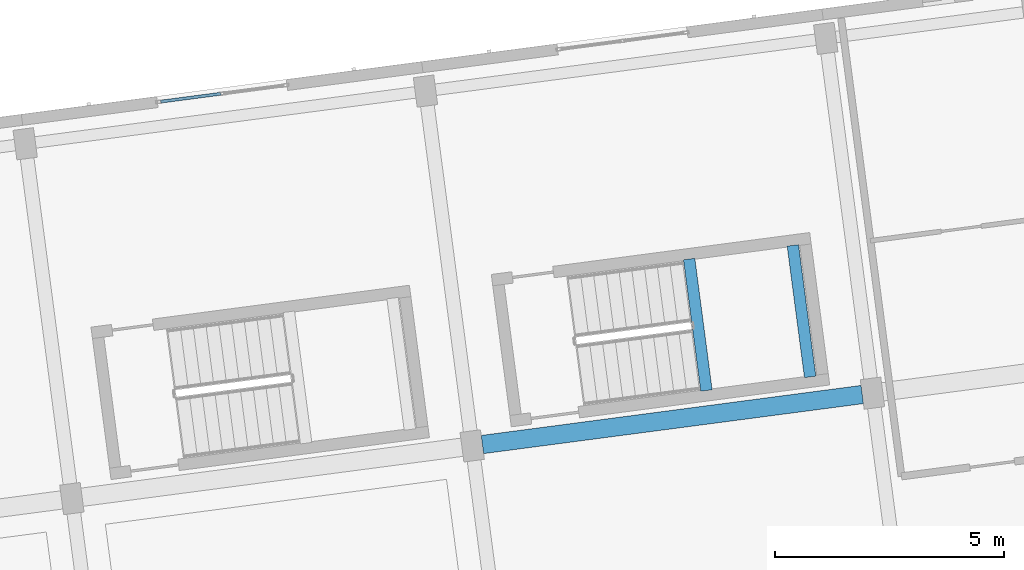
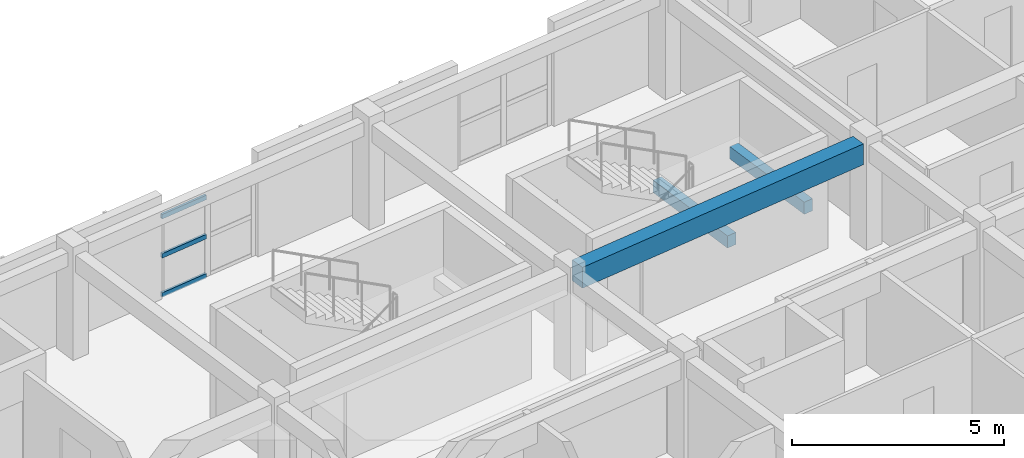
# One storey, part 5 of 56: 3 beams, 3 members, 1 element without a shape of its own.
"""IFC4 building model written with IfcOpenShell, lengths in metres."""

from ifc_helpers import new_model, si_unit, direction, frame, origin, origin_2d, place, context, subcontext, project, spatial, rectangle, hollow_rectangle, extrude, material, material_profile, profile_set, type_object, element, aggregate, save


model = new_model("IFC4")

# Units and contexts
model_context = context("Model", 3, precision=1e-05, world=origin(), true_north=direction((0.0, 1.0)))
body_context = subcontext(model_context, "Body", "Model", "MODEL_VIEW")
ifc_project = project(units=[si_unit("LENGTHUNIT", "METRE"), si_unit("AREAUNIT", "SQUARE_METRE"), si_unit("VOLUMEUNIT", "CUBIC_METRE"), si_unit("PLANEANGLEUNIT", "RADIAN"), si_unit("MASSUNIT", "GRAM", prefix="KILO")], contexts=[model_context])

# Site, building, storey
site_placement = place(None, origin())
site = spatial("IfcSite", under=ifc_project, at=site_placement, CompositionType="ELEMENT")
building_placement = place(site_placement, origin())
building = spatial("IfcBuilding", under=site, at=building_placement, Name="Kestramere Prow Commons", CompositionType="ELEMENT")
storey_placement = place(building_placement, frame((0.0, 0.0, 27.89990234375)))
storey = spatial("IfcBuildingStorey", under=building, at=storey_placement, Name="L08", CompositionType="ELEMENT", Elevation=27.89990234375)

# Beams
ifc_material_1 = material(Name="Precast concrete C40/50", Category="concrete")
ifc_material_profile_1 = material_profile(ifc_material_1, rectangle(XDim=0.39990234375, YDim=0.60009765625, at=origin_2d()), Name="PC-BM 400x600")
ifc_profile_set_1 = profile_set([ifc_material_profile_1], Name="Precast concrete C40/50")
beam_type_1 = type_object("IfcBeamType", Name="BM-A1 PC-BM 400x600", PredefinedType="BEAM", material=ifc_profile_set_1)
beam_placement = place(storey_placement, frame((27.280029296875, 86.42236328125, 2.7001953125), z_axis=(0.991445635283, 0.13052031366, 0.0), x_axis=(-0.13052031366, 0.991445635283, 0.0)))
element("IfcBeam", 1, at=beam_placement, inside=storey, type_object=beam_type_1, Name="Block A L08 Longitudinal Beam 3-3", PredefinedType="BEAM", context=body_context, shape_type="SweptSolid", body=[
    extrude(rectangle(XDim=0.39990234375, YDim=0.60009765625, at=origin_2d()), origin(), (0.0, 0.0, 1.0), 8.35009765625),
])
ifc_material_2 = material(Name="Concrete C40/50", Category="concrete")
ifc_material_profile_2 = material_profile(ifc_material_2, rectangle(XDim=0.25, YDim=0.35009765625, at=origin_2d()), Name="PC-BM 250x350")
ifc_profile_set_2 = profile_set([ifc_material_profile_2], Name="Concrete C40/50")
beam_type_2 = type_object("IfcBeamType", Name="BM-ST-TRIM", PredefinedType="BEAM", material=ifc_profile_set_2)
for number, where, z_axis, x_axis, name in (
    (2, (32.1630859375, 87.599609375, 1.25), (-0.130509140242, 0.99144710616, 0.0), (-0.99144710616, -0.130509140242, 0.0), "ST-A2 L08 Landing Trimmer Beam 1A"),
    (3, (34.423583984375, 87.897216796875, 1.25), (-0.130509140242, 0.99144710616, 0.0), (-0.99144710616, -0.130509140242, 0.0), "ST-A2 L08 Landing Trimmer Beam 1B"),
):
    element("IfcBeam", number, at=place(storey_placement, frame(where, z_axis=z_axis, x_axis=x_axis)), inside=storey, type_object=beam_type_2, Name=name, PredefinedType="BEAM", context=body_context, shape_type="SweptSolid", body=[
        extrude(rectangle(XDim=0.25, YDim=0.35009765625, at=origin_2d()), origin(), (0.0, 0.0, 1.0), 2.89013671875),
    ])

# Curtain wall, members
ifc_material_3 = material(Name="Anodised Aluminium and Low-E Glass", Category="aluminium")
curtain_wall_type = type_object("IfcCurtainWallType", Name="CW-03 Glazed Curtain Wall 2830x2320", PredefinedType="USERDEFINED", material=ifc_material_3)
curtain_wall_placement = place(storey_placement, origin())
curtain_wall = element("IfcCurtainWall", 4, at=curtain_wall_placement, inside=storey, type_object=curtain_wall_type, Name="Block A L08 Stairwell Vertical Glazing 2", ObjectType="GLAZED CURTAIN WALL", PredefinedType="USERDEFINED")
ifc_material_4 = material(Name="Anodised Aluminium 6063-T6", Category="aluminium")
ifc_material_profile_3 = material_profile(ifc_material_4, hollow_rectangle(XDim=0.06494140625, YDim=0.1298828125, WallThickness=0.00390625, at=origin_2d()), Name="ALU-TRN 65x130")
ifc_profile_set_3 = profile_set([ifc_material_profile_3], Name="Anodised Aluminium 6063-T6")
member_type = type_object("IfcMemberType", Name="CW-TRN-65x130", PredefinedType="USERDEFINED", material=ifc_profile_set_3)
member_1_placement = place(storey_placement, frame((20.26953125, 93.896240234375, 0.03271484375), z_axis=(0.991453033969, 0.130464100171, 0.0), x_axis=(-0.130464100171, 0.991453033969, 0.0)))
member_1 = element("IfcMember", 5, at=member_1_placement, type_object=member_type, Name="CW-03 transom 1.1", ObjectType="TRANSOM", PredefinedType="USERDEFINED", context=body_context, shape_type="SweptSolid", body=[
    extrude(hollow_rectangle(XDim=0.06494140625, YDim=0.1298828125, WallThickness=0.00390625, at=origin_2d()), origin(), (0.0, 0.0, 1.0), 1.3173828125),
])
member_2_placement = place(storey_placement, frame((20.26953125, 93.896240234375, 1.16015625), z_axis=(0.991453033969, 0.130464100171, 0.0), x_axis=(-0.130464100171, 0.991453033969, 0.0)))
member_2 = element("IfcMember", 6, at=member_2_placement, type_object=member_type, Name="CW-03 transom 1.2", ObjectType="TRANSOM", PredefinedType="USERDEFINED", context=body_context, shape_type="SweptSolid", body=[
    extrude(hollow_rectangle(XDim=0.06494140625, YDim=0.1298828125, WallThickness=0.00390625, at=origin_2d()), origin(), (0.0, 0.0, 1.0), 1.3173828125),
])
member_3_placement = place(storey_placement, frame((20.26953125, 93.896240234375, 2.28759765625), z_axis=(0.991453033969, 0.130464100171, 0.0), x_axis=(-0.130464100171, 0.991453033969, 0.0)))
member_3 = element("IfcMember", 7, at=member_3_placement, type_object=member_type, Name="CW-03 transom 1.3", ObjectType="TRANSOM", PredefinedType="USERDEFINED", context=body_context, shape_type="SweptSolid", body=[
    extrude(hollow_rectangle(XDim=0.06494140625, YDim=0.1298828125, WallThickness=0.00390625, at=origin_2d()), origin(), (0.0, 0.0, 1.0), 1.3173828125),
])
aggregate(curtain_wall, [member_1, member_2, member_3])

save(model, "model.ifc")
